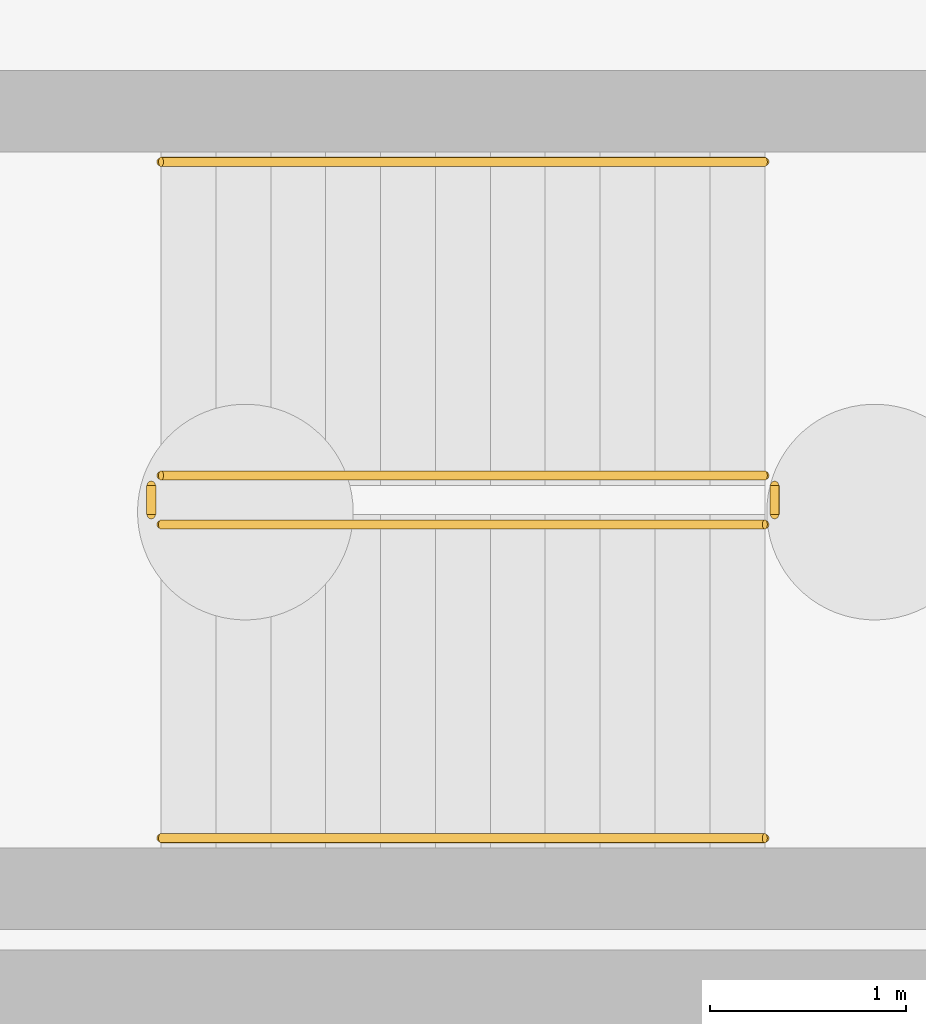
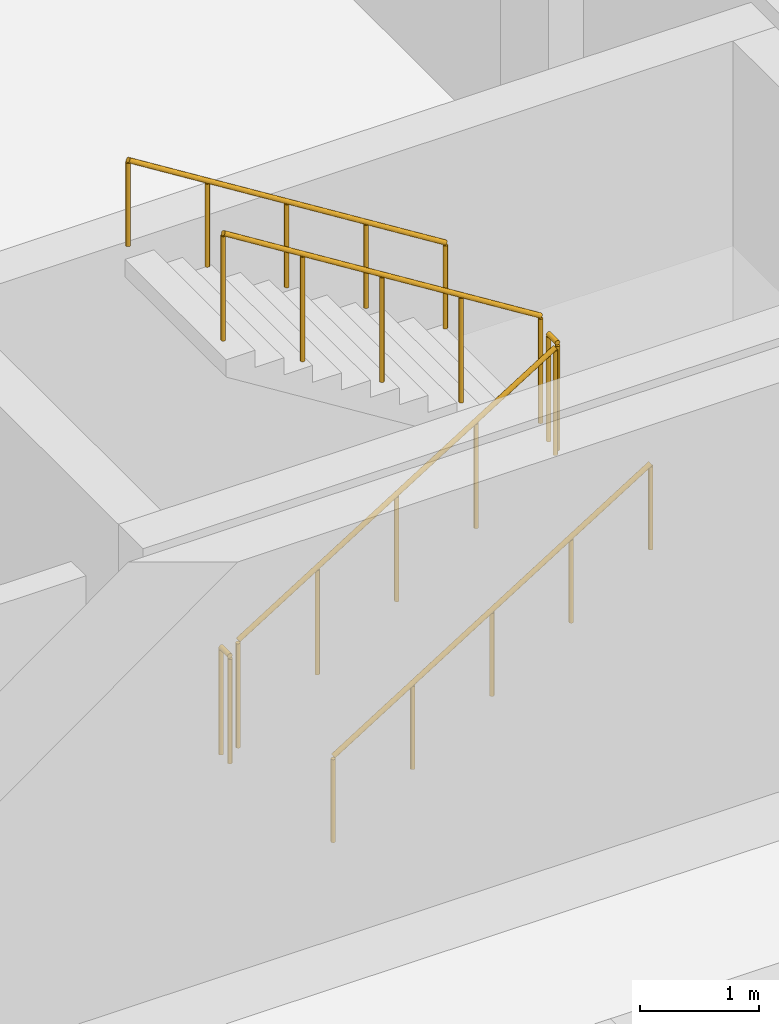
# One storey, part 28 of 31: 6 railings.
"""IFC4 building model written with IfcOpenShell, lengths in metres."""

from ifc_helpers import new_model, si_unit, direction, frame, origin, origin_2d, place, context, subcontext, project, spatial, circle, extrude, material, type_object, element, save


model = new_model("IFC4")

# Units and contexts
model_context = context("Model", 3, precision=1e-05, world=origin(), true_north=direction((0.0, 1.0)))
body_context = subcontext(model_context, "Body", "Model", "MODEL_VIEW")
ifc_project = project(units=[si_unit("LENGTHUNIT", "METRE"), si_unit("AREAUNIT", "SQUARE_METRE"), si_unit("VOLUMEUNIT", "CUBIC_METRE"), si_unit("PLANEANGLEUNIT", "RADIAN"), si_unit("MASSUNIT", "GRAM", prefix="KILO")], contexts=[model_context])

# Site, building, storey
site_placement = place(None, origin())
site = spatial("IfcSite", under=ifc_project, at=site_placement, CompositionType="ELEMENT")
building_placement = place(site_placement, origin())
building = spatial("IfcBuilding", under=site, at=building_placement, Name="Qalavern Law Courts", CompositionType="ELEMENT")
storey_placement = place(building_placement, frame((0.0, 0.0, -8.39990234375)))
storey = spatial("IfcBuildingStorey", under=building, at=storey_placement, Name="B2", CompositionType="ELEMENT", Elevation=-8.39990234375)

# Railings
ifc_material = material(Name="Steel S355", Category="steel")
railing_type_1 = type_object("IfcRailingType", Name="INT-GUARD-1120", PredefinedType="BALUSTRADE", material=ifc_material)
railing_1_placement = place(storey_placement, frame((99.89990234375, 43.64990234375, 0.1748046875)))
element("IfcRailing", 1, at=railing_1_placement, inside=storey, type_object=railing_type_1, Name="B2 ST-K1A stair guard 1", PredefinedType="BALUSTRADE", context=body_context, shape_type="SweptSolid", body=[
    extrude(circle(Radius=0.02392578125, at=origin_2d()), frame((0.0, 0.0, 1.09619140625), z_axis=(0.847998304005, 0.0, 0.529998940003), x_axis=(0.0, 1.0, 0.0)), (0.0, 0.0, 1.0), 3.632080078125),
    extrude(circle(Radius=0.02099609375, at=origin_2d()), origin(), (0.0, 0.0, 1.0), 1.072021484375),
    extrude(circle(Radius=0.02099609375, at=origin_2d()), frame((0.77001953125, 0.0, 0.481201171875)), (0.0, 0.0, 1.0), 1.072021484375),
    extrude(circle(Radius=0.02099609375, at=origin_2d()), frame((1.5400390625, 0.0, 0.96240234375)), (0.0, 0.0, 1.0), 1.072021484375),
    extrude(circle(Radius=0.02099609375, at=origin_2d()), frame((2.31005859375, 0.0, 1.44384765625)), (0.0, 0.0, 1.0), 1.072021484375),
    extrude(circle(Radius=0.02099609375, at=origin_2d()), frame((3.080078125, 0.0, 1.925048828125)), (0.0, 0.0, 1.0), 1.072021484375),
])
railing_2_placement = place(storey_placement, frame((103.030029296875, 43.699951171875, 2.099853515625)))
element("IfcRailing", 2, at=railing_2_placement, inside=storey, type_object=railing_type_1, Name="B2 ST-K1A stair guard 2", PredefinedType="BALUSTRADE", context=body_context, shape_type="SweptSolid", body=[
    extrude(circle(Radius=0.02392578125, at=origin_2d()), frame((0.0, 0.0, 1.09619140625), z_axis=(0.0, 1.0, 0.0), x_axis=(-1.0, 0.0, 0.0)), (0.0, 0.0, 1.0), 0.150146484375),
    extrude(circle(Radius=0.02099609375, at=origin_2d()), origin(), (0.0, 0.0, 1.0), 1.072021484375),
    extrude(circle(Radius=0.02099609375, at=origin_2d()), frame((0.0, 0.150146484375, 0.0)), (0.0, 0.0, 1.0), 1.072021484375),
])
railing_3_placement = place(storey_placement, frame((102.97998046875, 43.89990234375, 2.27490234375)))
element("IfcRailing", 3, at=railing_3_placement, inside=storey, type_object=railing_type_1, Name="B2 ST-K1A stair guard 3", PredefinedType="BALUSTRADE", context=body_context, shape_type="SweptSolid", body=[
    extrude(circle(Radius=0.02392578125, at=origin_2d()), frame((0.0, 0.0, 1.09619140625), z_axis=(-0.847998304005, 0.0, 0.529998940003), x_axis=(0.0, -1.0, 0.0)), (0.0, 0.0, 1.0), 3.632080078125),
    extrude(circle(Radius=0.02099609375, at=origin_2d()), origin(), (0.0, 0.0, 1.0), 1.072021484375),
    extrude(circle(Radius=0.02099609375, at=origin_2d()), frame((-0.77001953125, 0.0, 0.481201171875)), (0.0, 0.0, 1.0), 1.072021484375),
    extrude(circle(Radius=0.02099609375, at=origin_2d()), frame((-1.5400390625, 0.0, 0.96240234375)), (0.0, 0.0, 1.0), 1.072021484375),
    extrude(circle(Radius=0.02099609375, at=origin_2d()), frame((-2.31005859375, 0.0, 1.44384765625)), (0.0, 0.0, 1.0), 1.072021484375),
    extrude(circle(Radius=0.02099609375, at=origin_2d()), frame((-3.080078125, 0.0, 1.925048828125)), (0.0, 0.0, 1.0), 1.072021484375),
])
railing_4_placement = place(storey_placement, frame((99.85009765625, 43.699951171875, 0.0)))
element("IfcRailing", 4, at=railing_4_placement, inside=storey, type_object=railing_type_1, Name="B2 ST-K1A stair guard 4", PredefinedType="BALUSTRADE", context=body_context, shape_type="SweptSolid", body=[
    extrude(circle(Radius=0.02392578125, at=origin_2d()), frame((0.0, 0.0, 1.09619140625), z_axis=(0.0, 1.0, 0.0), x_axis=(-1.0, 0.0, 0.0)), (0.0, 0.0, 1.0), 0.150146484375),
    extrude(circle(Radius=0.02099609375, at=origin_2d()), origin(), (0.0, 0.0, 1.0), 1.072021484375),
    extrude(circle(Radius=0.02099609375, at=origin_2d()), frame((0.0, 0.150146484375, 0.0)), (0.0, 0.0, 1.0), 1.072021484375),
])
railing_type_2 = type_object("IfcRailingType", Name="INT-HRAIL-920", PredefinedType="HANDRAIL", material=ifc_material)
railing_5_placement = place(storey_placement, frame((99.89990234375, 42.050048828125, 0.1748046875)))
element("IfcRailing", 5, at=railing_5_placement, inside=storey, type_object=railing_type_2, Name="B2 ST-K1A stair handrail 1", PredefinedType="HANDRAIL", context=body_context, shape_type="SweptSolid", body=[
    extrude(circle(Radius=0.02392578125, at=origin_2d()), frame((0.0, 0.0, 0.8759765625), z_axis=(0.847998304005, 0.0, 0.529998940003), x_axis=(0.0, 1.0, 0.0)), (0.0, 0.0, 1.0), 3.632080078125),
    extrude(circle(Radius=0.02099609375, at=origin_2d()), origin(), (0.0, 0.0, 1.0), 0.851806640625),
    extrude(circle(Radius=0.02099609375, at=origin_2d()), frame((0.77001953125, 0.0, 0.481201171875)), (0.0, 0.0, 1.0), 0.851806640625),
    extrude(circle(Radius=0.02099609375, at=origin_2d()), frame((1.5400390625, 0.0, 0.96240234375)), (0.0, 0.0, 1.0), 0.851806640625),
    extrude(circle(Radius=0.02099609375, at=origin_2d()), frame((2.31005859375, 0.0, 1.44384765625)), (0.0, 0.0, 1.0), 0.851806640625),
    extrude(circle(Radius=0.02099609375, at=origin_2d()), frame((3.080078125, 0.0, 1.925048828125)), (0.0, 0.0, 1.0), 0.851806640625),
])
railing_6_placement = place(storey_placement, frame((102.97998046875, 45.5, 2.27490234375)))
element("IfcRailing", 6, at=railing_6_placement, inside=storey, type_object=railing_type_2, Name="B2 ST-K1A stair handrail 2", PredefinedType="HANDRAIL", context=body_context, shape_type="SweptSolid", body=[
    extrude(circle(Radius=0.02392578125, at=origin_2d()), frame((0.0, 0.0, 0.8759765625), z_axis=(-0.847998304005, 0.0, 0.529998940003), x_axis=(0.0, -1.0, 0.0)), (0.0, 0.0, 1.0), 3.632080078125),
    extrude(circle(Radius=0.02099609375, at=origin_2d()), origin(), (0.0, 0.0, 1.0), 0.851806640625),
    extrude(circle(Radius=0.02099609375, at=origin_2d()), frame((-0.77001953125, 0.0, 0.481201171875)), (0.0, 0.0, 1.0), 0.851806640625),
    extrude(circle(Radius=0.02099609375, at=origin_2d()), frame((-1.5400390625, 0.0, 0.96240234375)), (0.0, 0.0, 1.0), 0.851806640625),
    extrude(circle(Radius=0.02099609375, at=origin_2d()), frame((-2.31005859375, 0.0, 1.44384765625)), (0.0, 0.0, 1.0), 0.851806640625),
    extrude(circle(Radius=0.02099609375, at=origin_2d()), frame((-3.080078125, 0.0, 1.925048828125)), (0.0, 0.0, 1.0), 0.851806640625),
])

save(model, "model.ifc")
